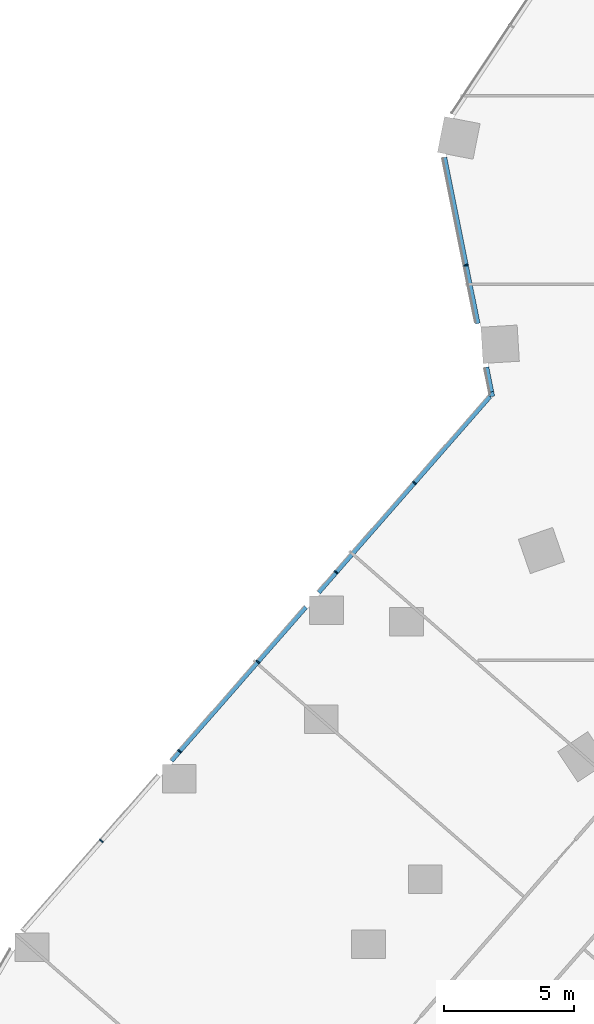
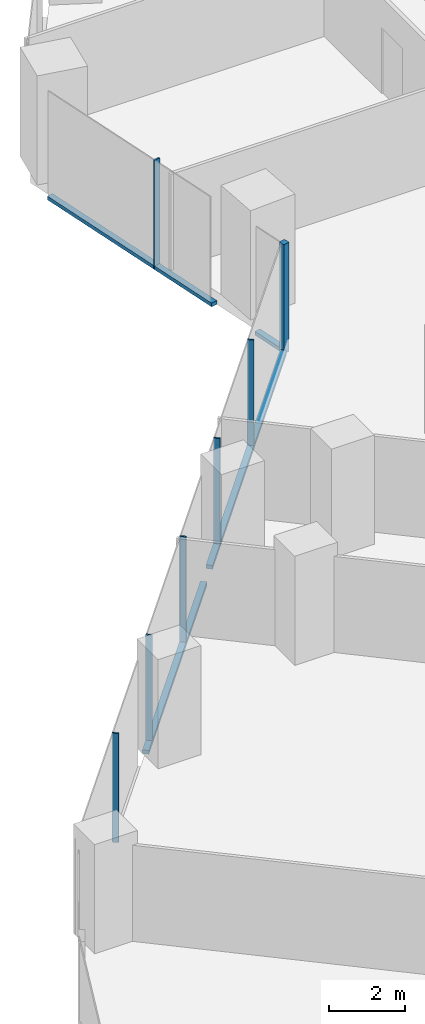
# One storey, part 6 of 38: 11 members, 2 elements without a shape of their own.
"""IFC4 building model written with IfcOpenShell, lengths in metres."""

import ifcopenshell
import ifcopenshell.guid

model = None  # the IFC model being written
_history = None  # IfcOwnerHistory: only IFC2X3 demands one
_inside = {}  # id of a spatial element -> (the spatial element, [elements in it])
_under = {}  # id of a project, library or spatial element -> (it, [spatial elements below it])
_declared = {}  # id of a project -> (the project, [libraries it declares])
_typed = {}  # id of a type object -> (the type object, [elements of that type])
_made_of = {}  # id of a material, layer set ... -> (it, [elements and type objects made of it])


def new_model(schema):
    """Start an empty IFC model of exactly this schema.

    Asked for "IFC4X3", IfcOpenShell would pick the latest addendum, in which some entities
    have other attributes; the version numbers below select the first issue.
    IFC2X3 requires an IfcOwnerHistory on every rooted entity: one is made here for all.
    """
    global model, _history
    if schema == "IFC4X3":
        model = ifcopenshell.file(schema_version=(4, 3, 0, 0))
    else:
        model = ifcopenshell.file(schema=schema)
    _inside.clear()
    _under.clear()
    _declared.clear()
    _typed.clear()
    _made_of.clear()
    _history = None
    if model.schema == "IFC2X3":
        org = make("IfcOrganization", Name="unknown")
        user = make(
            "IfcPersonAndOrganization",
            ThePerson=make("IfcPerson", FamilyName="unknown"),
            TheOrganization=org,
        )
        app = make(
            "IfcApplication",
            ApplicationDeveloper=org,
            Version="unknown",
            ApplicationFullName="unknown",
            ApplicationIdentifier="unknown",
        )
        _history = make(
            "IfcOwnerHistory",
            OwningUser=user,
            OwningApplication=app,
            ChangeAction="ADDED",
            CreationDate=0,
        )
    return model


def make(cls, **values):
    """One entity of the class cls with the attributes given. An attribute that is None is left unset."""
    return model.create_entity(
        cls, **{name: value for name, value in values.items() if value is not None}
    )


def rooted(cls, **values):
    """An entity with a GlobalId (a new one), such as an element, a storey or a relation."""
    return make(cls, GlobalId=ifcopenshell.guid.new(), OwnerHistory=_history, **values)


def si_unit(unit_type, name, prefix=None):
    """IfcSIUnit, for example si_unit("LENGTHUNIT", "METRE", prefix="MILLI")."""
    return make("IfcSIUnit", UnitType=unit_type, Prefix=prefix, Name=name)


def assignment(units):
    """IfcUnitAssignment: the units of a project."""
    return None if units is None else make("IfcUnitAssignment", Units=units)


def point(xyz):
    """IfcCartesianPoint."""
    return None if xyz is None else make("IfcCartesianPoint", Coordinates=xyz)


def direction(xyz):
    """IfcDirection."""
    return None if xyz is None else make("IfcDirection", DirectionRatios=xyz)


def frame(location, z_axis=None, x_axis=None):
    """IfcAxis2Placement3D, a coordinate frame: its origin and axes. An axis left out is left unset."""
    return make(
        "IfcAxis2Placement3D",
        Location=point(location),
        Axis=direction(z_axis),
        RefDirection=direction(x_axis),
    )


def frame_2d(location, x_axis=None):
    """IfcAxis2Placement2D, a coordinate frame in the plane: its origin and x axis."""
    return make(
        "IfcAxis2Placement2D", Location=point(location), RefDirection=direction(x_axis)
    )


def origin():
    """The frame at (0, 0, 0) with its axes left unset."""
    return frame((0.0, 0.0, 0.0))


def origin_2d():
    """The frame at (0, 0) in the plane with its x axis left unset."""
    return frame_2d((0.0, 0.0))


def place(relative_to, where):
    """IfcLocalPlacement: puts the frame where relative to a parent placement (None: the world)."""
    return make(
        "IfcLocalPlacement", PlacementRelTo=relative_to, RelativePlacement=where
    )


def context(
    kind, dimensions, precision=None, world=None, true_north=None, identifier=None
):
    """IfcGeometricRepresentationContext, for example the 3D "Model" context."""
    return make(
        "IfcGeometricRepresentationContext",
        ContextIdentifier=identifier,
        ContextType=kind,
        CoordinateSpaceDimension=dimensions,
        Precision=precision,
        WorldCoordinateSystem=world,
        TrueNorth=true_north,
    )


def subcontext(parent, identifier, kind, view, scale=None):
    """IfcGeometricRepresentationSubContext, for example "Body" below "Model"."""
    return make(
        "IfcGeometricRepresentationSubContext",
        ContextIdentifier=identifier,
        ContextType=kind,
        ParentContext=parent,
        TargetScale=scale,
        TargetView=view,
    )


def project(units=None, contexts=None):
    """IfcProject with its units and contexts."""
    return rooted(
        "IfcProject",
        Name="project",
        RepresentationContexts=contexts,
        UnitsInContext=assignment(units),
    )


def spatial(cls, under=None, at=None, **own):
    """A site, building, storey or space (cls), placed at a placement, below another one or the project."""
    s = rooted(cls, ObjectPlacement=at, **own)
    if under is not None:
        _under.setdefault(under.id(), (under, []))[1].append(s)
    return s


def profile(cls, at=None, kind="AREA", **sizes):
    """A parametric profile (cls). Its sizes go by their IFC names, for example OverallWidth=200.0."""
    return make(cls, ProfileType=kind, Position=at, **sizes)


def rectangle(**sizes):
    """IfcRectangleProfileDef."""
    return profile("IfcRectangleProfileDef", **sizes)


def extrude(swept, where, along, depth):
    """IfcExtrudedAreaSolid: the profile swept, set in the frame where, extruded along a direction by depth."""
    return make(
        "IfcExtrudedAreaSolid",
        SweptArea=swept,
        Position=where,
        ExtrudedDirection=direction(along),
        Depth=depth,
    )


def shape(context_of_items, identifier, shape_type, items):
    """IfcShapeRepresentation: the items that make up one representation, for example the "Body"."""
    return make(
        "IfcShapeRepresentation",
        ContextOfItems=context_of_items,
        RepresentationIdentifier=identifier,
        RepresentationType=shape_type,
        Items=items,
    )


def material(Name=None, Category=None):
    """IfcMaterial."""
    return make("IfcMaterial", Name=Name, Category=Category)


def material_profile(
    of_material, cross_section, Name=None, Category=None, Priority=None
):
    """IfcMaterialProfile: a cross section and its material."""
    return make(
        "IfcMaterialProfile",
        Name=Name,
        Material=of_material,
        Profile=cross_section,
        Priority=Priority,
        Category=Category,
    )


def profile_set(profiles, Name=None, composite=None):
    """IfcMaterialProfileSet."""
    return make(
        "IfcMaterialProfileSet",
        Name=Name,
        MaterialProfiles=profiles,
        CompositeProfile=composite,
    )


def made_of(thing, what):
    """Note that an element or type object is made of a material, layer set ...; save() writes the relation."""
    if what is not None:
        _made_of.setdefault(what.id(), (what, []))[1].append(thing)
    return thing


def type_object(cls, material=None, **own):
    """A type object (cls), such as IfcWallType, which elements share."""
    return made_of(rooted(cls, **own), material)


def element(
    cls,
    number,
    at=None,
    inside=None,
    cuts=None,
    type_object=None,
    material=None,
    context=None,
    identifier="Body",
    shape_type=None,
    held_by="IfcProductDefinitionShape",
    body=None,
    shapes=None,
    **own,
):
    """One element of the class cls, such as IfcWall. Its Tag is "e" and its number.

    at: its placement. inside: the storey or other place that contains it. cuts: it is an
    opening in that element (IfcRelVoidsElement). A single representation is given by context,
    identifier, shape_type and body (its items); several are given by shapes. held_by: the class
    of the entity that holds the representations. save() writes the other relations.
    """
    e = rooted(cls, Tag="e%d" % number, ObjectPlacement=at, **own)
    if body is not None:
        shapes = [shape(context, identifier, shape_type, body)]
    if shapes is not None:
        e.Representation = make(held_by, Representations=shapes)
    if inside is not None:
        _inside.setdefault(inside.id(), (inside, []))[1].append(e)
    if cuts is not None:
        rooted(
            "IfcRelVoidsElement", RelatingBuildingElement=cuts, RelatedOpeningElement=e
        )
    if type_object is not None:
        _typed.setdefault(type_object.id(), (type_object, []))[1].append(e)
    return made_of(e, material)


def aggregate(whole, parts):
    """IfcRelAggregates: a whole, such as a stair, and the parts it consists of."""
    return rooted("IfcRelAggregates", RelatingObject=whole, RelatedObjects=parts)


def save(model, path):
    """Write the relations noted so far, then the file.

    IfcRelAggregates (storeys below a building ...), IfcRelContainedInSpatialStructure (elements
    in a storey), IfcRelDefinesByType, IfcRelAssociatesMaterial and IfcRelDeclares: one each for
    every whole, place, type object, material and project.
    """
    for whole, parts in _under.values():
        aggregate(whole, parts)
    for where, things in _inside.values():
        rooted(
            "IfcRelContainedInSpatialStructure",
            RelatedElements=things,
            RelatingStructure=where,
        )
    for kind, things in _typed.values():
        rooted("IfcRelDefinesByType", RelatedObjects=things, RelatingType=kind)
    for what, things in _made_of.values():
        rooted("IfcRelAssociatesMaterial", RelatedObjects=things, RelatingMaterial=what)
    for by, libraries in _declared.values():
        rooted("IfcRelDeclares", RelatingContext=by, RelatedDefinitions=libraries)
    model.write(path)


model = new_model("IFC4")

# Units and contexts
model_context = context("Model", 3, precision=1e-05, world=origin(), true_north=direction((0.0, 1.0)))
body_context = subcontext(model_context, "Body", "Model", "MODEL_VIEW")
ifc_project = project(units=[si_unit("LENGTHUNIT", "METRE"), si_unit("AREAUNIT", "SQUARE_METRE"), si_unit("VOLUMEUNIT", "CUBIC_METRE"), si_unit("PLANEANGLEUNIT", "RADIAN"), si_unit("MASSUNIT", "GRAM", prefix="KILO")], contexts=[model_context])

# Site, building, storey
site_placement = place(None, origin())
site = spatial("IfcSite", under=ifc_project, at=site_placement, CompositionType="ELEMENT")
building_placement = place(site_placement, origin())
building = spatial("IfcBuilding", under=site, at=building_placement, Name="Orlundy Tower", CompositionType="ELEMENT")
storey_placement = place(building_placement, frame((0.0, 0.0, 65.800048828125)))
storey = spatial("IfcBuildingStorey", under=building, at=storey_placement, Name="L15", CompositionType="ELEMENT", Elevation=65.800048828125)

# Curtain wall, member
ifc_material_1 = material(Name="Aluminium bronze anodised", Category="aluminium")
curtain_wall_type = type_object("IfcCurtainWallType", Name="CW1 wall", PredefinedType="NOTDEFINED", material=ifc_material_1)
curtain_wall_1_placement = place(storey_placement, origin())
curtain_wall_1 = element("IfcCurtainWall", 1, at=curtain_wall_1_placement, inside=storey, type_object=curtain_wall_type, Name="CW1 run 013", PredefinedType="NOTDEFINED")
ifc_material_2 = material(Name="Aluminium bronze anodised", Category="aluminium")
ifc_material_profile_1 = material_profile(ifc_material_2, rectangle(XDim=0.179931640625, YDim=0.179931640625, at=origin_2d()), Name="CW1 corner post 180x180")
ifc_profile_set_1 = profile_set([ifc_material_profile_1], Name="Aluminium bronze anodised")
member_type_1 = type_object("IfcMemberType", Name="CW1 corner post 180x180", PredefinedType="MULLION", material=ifc_profile_set_1)
member_1_placement = place(storey_placement, frame((-29.94189453125, -3.72314453125, -0.400146484375), z_axis=(0.0, 0.0, 1.0), x_axis=(-0.980497937474, -0.196529373401, 0.0)))
member_1 = element("IfcMember", 2, at=member_1_placement, type_object=member_type_1, Name="CW1 mullion 32", PredefinedType="MULLION", context=body_context, shape_type="SweptSolid", body=[
    extrude(rectangle(XDim=0.179931640625, YDim=0.179931640625, at=origin_2d()), origin(), (0.0, 0.0, 1.0), 3.5),
])

# Curtain wall, members
curtain_wall_2_placement = place(storey_placement, origin())
curtain_wall_2 = element("IfcCurtainWall", 3, at=curtain_wall_2_placement, inside=storey, type_object=curtain_wall_type, Name="CW1 run 012", PredefinedType="NOTDEFINED")
ifc_material_3 = material(Name="Aluminium bronze anodised", Category="aluminium")
ifc_material_profile_2 = material_profile(ifc_material_3, rectangle(XDim=0.179931640625, YDim=0.050048828125, at=origin_2d()), Name="CW1 mullion 50x180")
ifc_profile_set_2 = profile_set([ifc_material_profile_2], Name="Aluminium bronze anodised")
member_type_2 = type_object("IfcMemberType", Name="CW1 mullion 50x180", PredefinedType="MULLION", material=ifc_profile_set_2)
member_2_placement = place(storey_placement, frame((-45.01611328125, -20.96142578125, -0.400146484375), z_axis=(0.0, 0.0, 1.0), x_axis=(-0.752779154075, 0.658273153933, 0.0)))
member_2 = element("IfcMember", 4, at=member_2_placement, type_object=member_type_2, Name="CW1 mullion 27", PredefinedType="MULLION", context=body_context, shape_type="SweptSolid", body=[
    extrude(rectangle(XDim=0.179931640625, YDim=0.050048828125, at=origin_2d()), origin(), (0.0, 0.0, 1.0), 3.5),
])
member_3_placement = place(storey_placement, frame((-41.995361328125, -17.507080078125, -0.400146484375), z_axis=(0.0, 0.0, 1.0), x_axis=(-0.752779154075, 0.658273153933, 0.0)))
member_3 = element("IfcMember", 5, at=member_3_placement, type_object=member_type_2, Name="CW1 mullion 28", PredefinedType="MULLION", context=body_context, shape_type="SweptSolid", body=[
    extrude(rectangle(XDim=0.179931640625, YDim=0.050048828125, at=origin_2d()), origin(), (0.0, 0.0, 1.0), 3.5),
])
member_4_placement = place(storey_placement, frame((-38.974853515625, -14.052734375, -0.400146484375), z_axis=(0.0, 0.0, 1.0), x_axis=(-0.752779154075, 0.658273153933, 0.0)))
member_4 = element("IfcMember", 6, at=member_4_placement, type_object=member_type_2, Name="CW1 mullion 29", PredefinedType="MULLION", context=body_context, shape_type="SweptSolid", body=[
    extrude(rectangle(XDim=0.179931640625, YDim=0.050048828125, at=origin_2d()), origin(), (0.0, 0.0, 1.0), 3.5),
])
member_5_placement = place(storey_placement, frame((-35.9541015625, -10.598388671875, -0.400146484375), z_axis=(0.0, 0.0, 1.0), x_axis=(-0.752779154075, 0.658273153933, 0.0)))
member_5 = element("IfcMember", 7, at=member_5_placement, type_object=member_type_2, Name="CW1 mullion 30", PredefinedType="MULLION", context=body_context, shape_type="SweptSolid", body=[
    extrude(rectangle(XDim=0.179931640625, YDim=0.050048828125, at=origin_2d()), origin(), (0.0, 0.0, 1.0), 3.5),
])
member_6_placement = place(storey_placement, frame((-32.933349609375, -7.14404296875, -0.400146484375), z_axis=(0.0, 0.0, 1.0), x_axis=(-0.752779154075, 0.658273153933, 0.0)))
member_6 = element("IfcMember", 8, at=member_6_placement, type_object=member_type_2, Name="CW1 mullion 31", PredefinedType="MULLION", context=body_context, shape_type="SweptSolid", body=[
    extrude(rectangle(XDim=0.179931640625, YDim=0.050048828125, at=origin_2d()), origin(), (0.0, 0.0, 1.0), 3.5),
])

# Member
member_7_placement = place(storey_placement, frame((-30.939208984375, 1.252197265625, -0.400146484375), z_axis=(0.0, 0.0, 1.0), x_axis=(-0.980497937474, -0.196529373401, 0.0)))
member_7 = element("IfcMember", 9, at=member_7_placement, type_object=member_type_2, Name="CW1 mullion 33", PredefinedType="MULLION", context=body_context, shape_type="SweptSolid", body=[
    extrude(rectangle(XDim=0.179931640625, YDim=0.050048828125, at=origin_2d()), origin(), (0.0, 0.0, 1.0), 3.5),
])

ifc_material_4 = material(Name="Aluminium bronze anodised", Category="aluminium")
ifc_material_profile_3 = material_profile(ifc_material_4, rectangle(XDim=0.179931640625, YDim=0.1201171875, at=origin_2d()), Name="CW1 transom 180x120")
ifc_profile_set_3 = profile_set([ifc_material_profile_3], Name="Aluminium bronze anodised")
member_type_3 = type_object("IfcMemberType", Name="CW1 transom 180x120", PredefinedType="USERDEFINED", material=ifc_profile_set_3)
member_8_placement = place(storey_placement, frame((-42.313720703125, -17.87109375, -0.340087890625), z_axis=(0.658274246781, 0.752778198425, 0.0), x_axis=(-0.752778198425, 0.658274246781, 0.0)))
member_8 = element("IfcMember", 10, at=member_8_placement, type_object=member_type_3, Name="CW1 transom", ObjectType="TRANSOM", PredefinedType="USERDEFINED", context=body_context, shape_type="SweptSolid", body=[
    extrude(rectangle(XDim=0.179931640625, YDim=0.1201171875, at=origin_2d()), origin(), (0.0, 0.0, 1.0), 7.87939453125),
])

member_9_placement = place(storey_placement, frame((-36.630615234375, -11.3720703125, -0.340087890625), z_axis=(0.658277502826, 0.752775351133, 0.0), x_axis=(-0.752775351133, 0.658277502826, 0.0)))
member_9 = element("IfcMember", 11, at=member_9_placement, type_object=member_type_3, Name="CW1 transom", ObjectType="TRANSOM", PredefinedType="USERDEFINED", context=body_context, shape_type="SweptSolid", body=[
    extrude(rectangle(XDim=0.179931640625, YDim=0.1201171875, at=origin_2d()), origin(), (0.0, 0.0, 1.0), 10.04736328125),
])

aggregate(curtain_wall_2, [member_2, member_3, member_4, member_5, member_6, member_8, member_9])

member_10_placement = place(storey_placement, frame((-29.959716796875, -3.635009765625, -0.340087890625), z_axis=(-0.19635725955, 0.980532419975, 0.0), x_axis=(-0.980532419975, -0.19635725955, 0.0)))
member_10 = element("IfcMember", 12, at=member_10_placement, type_object=member_type_3, Name="CW1 transom", ObjectType="TRANSOM", PredefinedType="USERDEFINED", context=body_context, shape_type="SweptSolid", body=[
    extrude(rectangle(XDim=0.179931640625, YDim=0.1201171875, at=origin_2d()), origin(), (0.0, 0.0, 1.0), 0.9736328125),
])

member_11_placement = place(storey_placement, frame((-30.48828125, -0.997802734375, -0.340087890625), z_axis=(-0.19652590044, 0.980498633582, 0.0), x_axis=(-0.980498633582, -0.19652590044, 0.0)))
member_11 = element("IfcMember", 13, at=member_11_placement, type_object=member_type_3, Name="CW1 transom", ObjectType="TRANSOM", PredefinedType="USERDEFINED", context=body_context, shape_type="SweptSolid", body=[
    extrude(rectangle(XDim=0.179931640625, YDim=0.1201171875, at=origin_2d()), origin(), (0.0, 0.0, 1.0), 6.53076171875),
])

aggregate(curtain_wall_1, [member_1, member_7, member_10, member_11])

save(model, "model.ifc")
